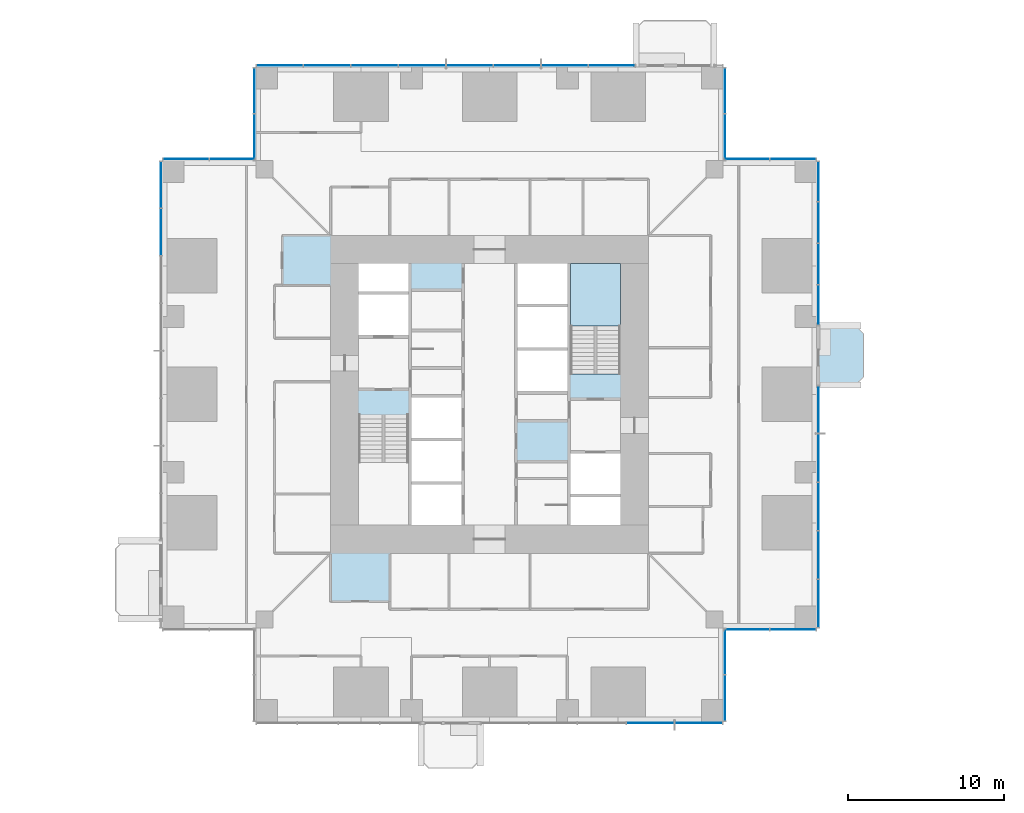
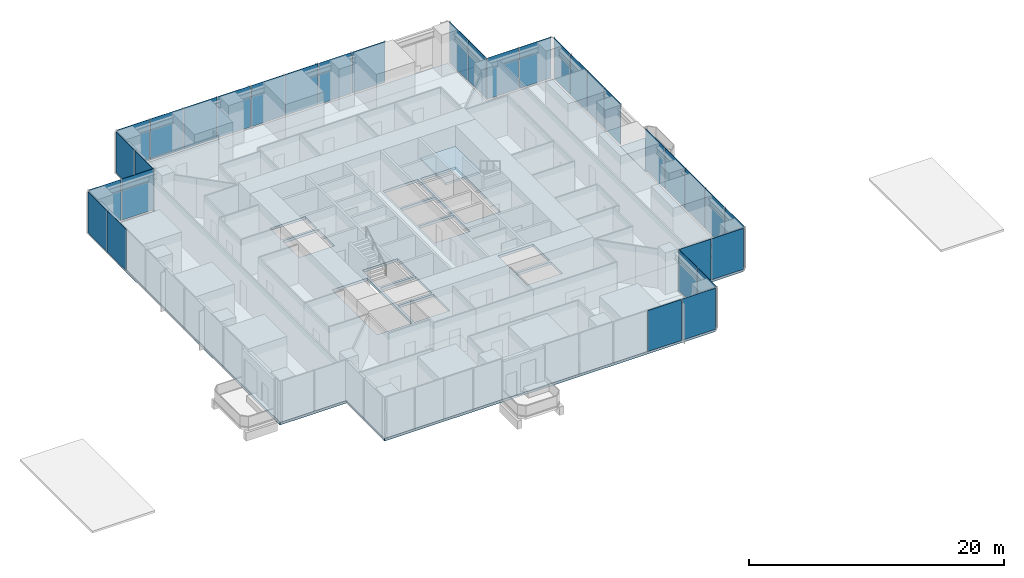
# One storey, part 8 of 16: 33 plates, 3 slabs, 12 elements without a shape of their own.
"""IFC4 building model written with IfcOpenShell, lengths in metres."""

from ifc_helpers import new_model, si_unit, direction, frame, origin, origin_2d, place, context, subcontext, project, spatial, polyline, rectangle, outline, extrude, material, layer, layer_set, type_object, element, aggregate, save


model = new_model("IFC4")

# Units and contexts
model_context = context("Model", 3, precision=1e-05, world=origin(), true_north=direction((0.0, 1.0)))
body_context = subcontext(model_context, "Body", "Model", "MODEL_VIEW")
ifc_project = project(units=[si_unit("LENGTHUNIT", "METRE"), si_unit("AREAUNIT", "SQUARE_METRE"), si_unit("VOLUMEUNIT", "CUBIC_METRE"), si_unit("PLANEANGLEUNIT", "RADIAN"), si_unit("MASSUNIT", "GRAM", prefix="KILO")], contexts=[model_context])

# Site, building, storey
site_placement = place(None, origin())
site = spatial("IfcSite", under=ifc_project, at=site_placement, CompositionType="ELEMENT")
building_placement = place(site_placement, origin())
building = spatial("IfcBuilding", under=site, at=building_placement, Name="Svetlomir Tower", CompositionType="ELEMENT")
storey_placement = place(building_placement, frame((0.0, 0.0, 22.5)))
storey = spatial("IfcBuildingStorey", under=building, at=storey_placement, Name="L04", CompositionType="ELEMENT", Elevation=22.5)

# Slab
ifc_material_1 = material(Name="Concrete C60/75", Category="concrete")
ifc_layer_1 = layer(ifc_material_1, 0.25)
ifc_layer_set_1 = layer_set([ifc_layer_1], Name="Concrete C60/75")
slab_type_1 = type_object("IfcSlabType", Name="BALCONY SLAB 250", PredefinedType="FLOOR", material=ifc_layer_set_1)
slab_1_placement = place(storey_placement, frame((0.0, 0.0, -0.25)))
element("IfcSlab", 1, at=slab_1_placement, inside=storey, type_object=slab_type_1, Name="L04 E planted balcony", PredefinedType="FLOOR", context=body_context, shape_type="SweptSolid", body=[
    extrude(outline(polyline([(42.0, 21.60009765625), (44.5, 21.60009765625), (45.0, 22.10009765625), (45.0, 24.89990234375), (44.5, 25.39990234375), (42.0, 25.39990234375), (42.0, 21.60009765625)])), origin(), (0.0, 0.0, 1.0), 0.25),
])

# Curtain wall, plates
ifc_material_2 = material(Name="Bronze anodised aluminium curtain wall", Category="aluminium")
curtain_wall_type = type_object("IfcCurtainWallType", Name="CURTAIN WALL CW1 TOWER OFFICE", PredefinedType="NOTDEFINED", material=ifc_material_2)
curtain_wall_1_placement = place(storey_placement, origin())
curtain_wall_1 = element("IfcCurtainWall", 2, at=curtain_wall_1_placement, inside=storey, type_object=curtain_wall_type, Name="Curtain wall CW1 L04", PredefinedType="NOTDEFINED")
ifc_material_3 = material(Name="Tinted double glazed unit", Category="glass")
ifc_layer_2 = layer(ifc_material_3, 0.031982421875)
ifc_layer_set_2 = layer_set([ifc_layer_2], Name="Tinted double glazed unit")
plate_type = type_object("IfcPlateType", Name="CW1 GLAZED PANEL 32", PredefinedType="CURTAIN_PANEL", material=ifc_layer_set_2)
plate_1_placement = place(storey_placement, frame((31.320068359375, -0.10009765625, 0.06494140625), z_axis=(0.0, 0.0, 1.0), x_axis=(1.0, 0.0, 0.0)))
plate_1 = element("IfcPlate", 3, at=plate_1_placement, type_object=plate_type, Name="CW1 panel 4.1", PredefinedType="CURTAIN_PANEL", context=body_context, shape_type="SweptSolid", body=[
    extrude(rectangle(XDim=3.054931640625, YDim=0.031982421875, at=origin_2d()), origin(), (0.0, 0.0, 1.0), 3.93505859375),
])
plate_2_placement = place(storey_placement, frame((34.423828125, -0.10009765625, 0.06494140625), z_axis=(0.0, 0.0, 1.0), x_axis=(1.0, 0.0, 0.0)))
plate_2 = element("IfcPlate", 4, at=plate_2_placement, type_object=plate_type, Name="CW1 panel 5.1", PredefinedType="CURTAIN_PANEL", context=body_context, shape_type="SweptSolid", body=[
    extrude(rectangle(XDim=3.0224609375, YDim=0.031982421875, at=origin_2d()), origin(), (0.0, 0.0, 1.0), 3.93505859375),
])
aggregate(curtain_wall_1, [plate_1, plate_2])

curtain_wall_2_placement = place(storey_placement, origin())
curtain_wall_2 = element("IfcCurtainWall", 5, at=curtain_wall_2_placement, inside=storey, type_object=curtain_wall_type, Name="Curtain wall CW1 L04", PredefinedType="NOTDEFINED")
plate_3_placement = place(storey_placement, frame((36.10009765625, 1.516357421875, 0.06494140625), z_axis=(0.0, 0.0, 1.0), x_axis=(0.0, 1.0, 0.0)))
plate_3 = element("IfcPlate", 6, at=plate_3_placement, type_object=plate_type, Name="CW1 panel 1.1", PredefinedType="CURTAIN_PANEL", context=body_context, shape_type="SweptSolid", body=[
    extrude(rectangle(XDim=2.902587890625, YDim=0.031982421875, at=origin_2d()), origin(), (0.0, 0.0, 1.0), 3.93505859375),
])
plate_4_placement = place(storey_placement, frame((36.10009765625, 4.483642578125, 0.06494140625), z_axis=(0.0, 0.0, 1.0), x_axis=(0.0, 1.0, 0.0)))
plate_4 = element("IfcPlate", 7, at=plate_4_placement, type_object=plate_type, Name="CW1 panel 2.1", PredefinedType="CURTAIN_PANEL", context=body_context, shape_type="SweptSolid", body=[
    extrude(rectangle(XDim=2.902587890625, YDim=0.031982421875, at=origin_2d()), origin(), (0.0, 0.0, 1.0), 3.93505859375),
])
aggregate(curtain_wall_2, [plate_3, plate_4])

curtain_wall_3_placement = place(storey_placement, origin())
curtain_wall_3 = element("IfcCurtainWall", 8, at=curtain_wall_3_placement, inside=storey, type_object=curtain_wall_type, Name="Curtain wall CW1 L04", PredefinedType="NOTDEFINED")
plate_5_placement = place(storey_placement, frame((37.516357421875, 5.89990234375, 0.06494140625), z_axis=(0.0, 0.0, 1.0), x_axis=(1.0, 0.0, 0.0)))
plate_5 = element("IfcPlate", 9, at=plate_5_placement, type_object=plate_type, Name="CW1 panel 1.1", PredefinedType="CURTAIN_PANEL", context=body_context, shape_type="SweptSolid", body=[
    extrude(rectangle(XDim=2.902587890625, YDim=0.031982421875, at=origin_2d()), origin(), (0.0, 0.0, 1.0), 3.93505859375),
])
plate_6_placement = place(storey_placement, frame((40.483642578125, 5.89990234375, 0.06494140625), z_axis=(0.0, 0.0, 1.0), x_axis=(1.0, 0.0, 0.0)))
plate_6 = element("IfcPlate", 10, at=plate_6_placement, type_object=plate_type, Name="CW1 panel 2.1", PredefinedType="CURTAIN_PANEL", context=body_context, shape_type="SweptSolid", body=[
    extrude(rectangle(XDim=2.902587890625, YDim=0.031982421875, at=origin_2d()), origin(), (0.0, 0.0, 1.0), 3.93505859375),
])
aggregate(curtain_wall_3, [plate_5, plate_6])

curtain_wall_4_placement = place(storey_placement, origin())
curtain_wall_4 = element("IfcCurtainWall", 11, at=curtain_wall_4_placement, inside=storey, type_object=curtain_wall_type, Name="Curtain wall CW1 L04", PredefinedType="NOTDEFINED")
plate_7_placement = place(storey_placement, frame((42.10009765625, 7.576171875, 0.06494140625), z_axis=(0.0, 0.0, 1.0), x_axis=(0.0, 1.0, 0.0)))
plate_7 = element("IfcPlate", 12, at=plate_7_placement, type_object=plate_type, Name="CW1 panel 1.1", PredefinedType="CURTAIN_PANEL", context=body_context, shape_type="SweptSolid", body=[
    extrude(rectangle(XDim=3.0224609375, YDim=0.031982421875, at=origin_2d()), origin(), (0.0, 0.0, 1.0), 3.93505859375),
])
plate_8_placement = place(storey_placement, frame((42.10009765625, 10.679931640625, 0.06494140625), z_axis=(0.0, 0.0, 1.0), x_axis=(0.0, 1.0, 0.0)))
plate_8 = element("IfcPlate", 13, at=plate_8_placement, type_object=plate_type, Name="CW1 panel 2.1", PredefinedType="CURTAIN_PANEL", context=body_context, shape_type="SweptSolid", body=[
    extrude(rectangle(XDim=3.054931640625, YDim=0.031982421875, at=origin_2d()), origin(), (0.0, 0.0, 1.0), 3.93505859375),
])
plate_9_placement = place(storey_placement, frame((42.10009765625, 13.800048828125, 0.06494140625), z_axis=(0.0, 0.0, 1.0), x_axis=(0.0, 1.0, 0.0)))
plate_9 = element("IfcPlate", 14, at=plate_9_placement, type_object=plate_type, Name="CW1 panel 3.1", PredefinedType="CURTAIN_PANEL", context=body_context, shape_type="SweptSolid", body=[
    extrude(rectangle(XDim=3.054931640625, YDim=0.031982421875, at=origin_2d()), origin(), (0.0, 0.0, 1.0), 3.93505859375),
])
plate_10_placement = place(storey_placement, frame((42.10009765625, 16.919921875, 0.06494140625), z_axis=(0.0, 0.0, 1.0), x_axis=(0.0, 1.0, 0.0)))
plate_10 = element("IfcPlate", 15, at=plate_10_placement, type_object=plate_type, Name="CW1 panel 4.1", PredefinedType="CURTAIN_PANEL", context=body_context, shape_type="SweptSolid", body=[
    extrude(rectangle(XDim=3.054931640625, YDim=0.031982421875, at=origin_2d()), origin(), (0.0, 0.0, 1.0), 3.93505859375),
])
plate_11_placement = place(storey_placement, frame((42.10009765625, 20.023681640625, 0.06494140625), z_axis=(0.0, 0.0, 1.0), x_axis=(0.0, 1.0, 0.0)))
plate_11 = element("IfcPlate", 16, at=plate_11_placement, type_object=plate_type, Name="CW1 panel 5.1", PredefinedType="CURTAIN_PANEL", context=body_context, shape_type="SweptSolid", body=[
    extrude(rectangle(XDim=3.0224609375, YDim=0.031982421875, at=origin_2d()), origin(), (0.0, 0.0, 1.0), 3.93505859375),
])
aggregate(curtain_wall_4, [plate_7, plate_8, plate_9, plate_10, plate_11])

curtain_wall_5_placement = place(storey_placement, origin())
curtain_wall_5 = element("IfcCurtainWall", 17, at=curtain_wall_5_placement, inside=storey, type_object=curtain_wall_type, Name="Curtain wall CW1 L04", PredefinedType="NOTDEFINED")
plate_12_placement = place(storey_placement, frame((42.10009765625, 26.7412109375, 0.06494140625), z_axis=(0.0, 0.0, 1.0), x_axis=(0.0, 1.0, 0.0)))
plate_12 = element("IfcPlate", 18, at=plate_12_placement, type_object=plate_type, Name="CW1 panel 1.1", PredefinedType="CURTAIN_PANEL", context=body_context, shape_type="SweptSolid", body=[
    extrude(rectangle(XDim=2.552490234375, YDim=0.031982421875, at=origin_2d()), origin(), (0.0, 0.0, 1.0), 3.93505859375),
])
plate_13_placement = place(storey_placement, frame((42.10009765625, 29.375, 0.06494140625), z_axis=(0.0, 0.0, 1.0), x_axis=(0.0, 1.0, 0.0)))
plate_13 = element("IfcPlate", 19, at=plate_13_placement, type_object=plate_type, Name="CW1 panel 2.1", PredefinedType="CURTAIN_PANEL", context=body_context, shape_type="SweptSolid", body=[
    extrude(rectangle(XDim=2.5849609375, YDim=0.031982421875, at=origin_2d()), origin(), (0.0, 0.0, 1.0), 3.93505859375),
])
plate_14_placement = place(storey_placement, frame((42.10009765625, 32.02490234375, 0.06494140625), z_axis=(0.0, 0.0, 1.0), x_axis=(0.0, 1.0, 0.0)))
plate_14 = element("IfcPlate", 20, at=plate_14_placement, type_object=plate_type, Name="CW1 panel 3.1", PredefinedType="CURTAIN_PANEL", context=body_context, shape_type="SweptSolid", body=[
    extrude(rectangle(XDim=2.5849609375, YDim=0.031982421875, at=origin_2d()), origin(), (0.0, 0.0, 1.0), 3.93505859375),
])
plate_15_placement = place(storey_placement, frame((42.10009765625, 34.65869140625, 0.06494140625), z_axis=(0.0, 0.0, 1.0), x_axis=(0.0, 1.0, 0.0)))
plate_15 = element("IfcPlate", 21, at=plate_15_placement, type_object=plate_type, Name="CW1 panel 4.1", PredefinedType="CURTAIN_PANEL", context=body_context, shape_type="SweptSolid", body=[
    extrude(rectangle(XDim=2.552490234375, YDim=0.031982421875, at=origin_2d()), origin(), (0.0, 0.0, 1.0), 3.93505859375),
])
aggregate(curtain_wall_5, [plate_12, plate_13, plate_14, plate_15])

curtain_wall_6_placement = place(storey_placement, origin())
curtain_wall_6 = element("IfcCurtainWall", 22, at=curtain_wall_6_placement, inside=storey, type_object=curtain_wall_type, Name="Curtain wall CW1 L04", PredefinedType="NOTDEFINED")
plate_16_placement = place(storey_placement, frame((40.483642578125, 36.10009765625, 0.06494140625), z_axis=(0.0, 0.0, 1.0), x_axis=(-1.0, 0.0, 0.0)))
plate_16 = element("IfcPlate", 23, at=plate_16_placement, type_object=plate_type, Name="CW1 panel 1.1", PredefinedType="CURTAIN_PANEL", context=body_context, shape_type="SweptSolid", body=[
    extrude(rectangle(XDim=2.902587890625, YDim=0.031982421875, at=origin_2d()), origin(), (0.0, 0.0, 1.0), 3.93505859375),
])
plate_17_placement = place(storey_placement, frame((37.516357421875, 36.10009765625, 0.06494140625), z_axis=(0.0, 0.0, 1.0), x_axis=(-1.0, 0.0, 0.0)))
plate_17 = element("IfcPlate", 24, at=plate_17_placement, type_object=plate_type, Name="CW1 panel 2.1", PredefinedType="CURTAIN_PANEL", context=body_context, shape_type="SweptSolid", body=[
    extrude(rectangle(XDim=2.902587890625, YDim=0.031982421875, at=origin_2d()), origin(), (0.0, 0.0, 1.0), 3.93505859375),
])
aggregate(curtain_wall_6, [plate_16, plate_17])

curtain_wall_7_placement = place(storey_placement, origin())
curtain_wall_7 = element("IfcCurtainWall", 25, at=curtain_wall_7_placement, inside=storey, type_object=curtain_wall_type, Name="Curtain wall CW1 L04", PredefinedType="NOTDEFINED")
plate_18_placement = place(storey_placement, frame((36.10009765625, 37.516357421875, 0.06494140625), z_axis=(0.0, 0.0, 1.0), x_axis=(0.0, 1.0, 0.0)))
plate_18 = element("IfcPlate", 26, at=plate_18_placement, type_object=plate_type, Name="CW1 panel 1.1", PredefinedType="CURTAIN_PANEL", context=body_context, shape_type="SweptSolid", body=[
    extrude(rectangle(XDim=2.902587890625, YDim=0.031982421875, at=origin_2d()), origin(), (0.0, 0.0, 1.0), 3.93505859375),
])
plate_19_placement = place(storey_placement, frame((36.10009765625, 40.483642578125, 0.06494140625), z_axis=(0.0, 0.0, 1.0), x_axis=(0.0, 1.0, 0.0)))
plate_19 = element("IfcPlate", 27, at=plate_19_placement, type_object=plate_type, Name="CW1 panel 2.1", PredefinedType="CURTAIN_PANEL", context=body_context, shape_type="SweptSolid", body=[
    extrude(rectangle(XDim=2.902587890625, YDim=0.031982421875, at=origin_2d()), origin(), (0.0, 0.0, 1.0), 3.93505859375),
])
aggregate(curtain_wall_7, [plate_18, plate_19])

curtain_wall_8_placement = place(storey_placement, origin())
curtain_wall_8 = element("IfcCurtainWall", 28, at=curtain_wall_8_placement, inside=storey, type_object=curtain_wall_type, Name="Curtain wall CW1 L04", PredefinedType="NOTDEFINED")
plate_20_placement = place(storey_placement, frame((28.858642578125, 42.10009765625, 0.06494140625), z_axis=(0.0, 0.0, 1.0), x_axis=(-1.0, 0.0, 0.0)))
plate_20 = element("IfcPlate", 29, at=plate_20_placement, type_object=plate_type, Name="CW1 panel 1.1", PredefinedType="CURTAIN_PANEL", context=body_context, shape_type="SweptSolid", body=[
    extrude(rectangle(XDim=2.952392578125, YDim=0.031982421875, at=origin_2d()), origin(), (0.0, 0.0, 1.0), 3.93505859375),
])
plate_21_placement = place(storey_placement, frame((25.824951171875, 42.10009765625, 0.06494140625), z_axis=(0.0, 0.0, 1.0), x_axis=(-1.0, 0.0, 0.0)))
plate_21 = element("IfcPlate", 30, at=plate_21_placement, type_object=plate_type, Name="CW1 panel 2.1", PredefinedType="CURTAIN_PANEL", context=body_context, shape_type="SweptSolid", body=[
    extrude(rectangle(XDim=2.985107421875, YDim=0.031982421875, at=origin_2d()), origin(), (0.0, 0.0, 1.0), 3.93505859375),
])
plate_22_placement = place(storey_placement, frame((22.77490234375, 42.10009765625, 0.06494140625), z_axis=(0.0, 0.0, 1.0), x_axis=(-1.0, 0.0, 0.0)))
plate_22 = element("IfcPlate", 31, at=plate_22_placement, type_object=plate_type, Name="CW1 panel 3.1", PredefinedType="CURTAIN_PANEL", context=body_context, shape_type="SweptSolid", body=[
    extrude(rectangle(XDim=2.985107421875, YDim=0.031982421875, at=origin_2d()), origin(), (0.0, 0.0, 1.0), 3.93505859375),
])
plate_23_placement = place(storey_placement, frame((19.72509765625, 42.10009765625, 0.06494140625), z_axis=(0.0, 0.0, 1.0), x_axis=(-1.0, 0.0, 0.0)))
plate_23 = element("IfcPlate", 32, at=plate_23_placement, type_object=plate_type, Name="CW1 panel 4.1", PredefinedType="CURTAIN_PANEL", context=body_context, shape_type="SweptSolid", body=[
    extrude(rectangle(XDim=2.985107421875, YDim=0.031982421875, at=origin_2d()), origin(), (0.0, 0.0, 1.0), 3.93505859375),
])
plate_24_placement = place(storey_placement, frame((16.675048828125, 42.10009765625, 0.06494140625), z_axis=(0.0, 0.0, 1.0), x_axis=(-1.0, 0.0, 0.0)))
plate_24 = element("IfcPlate", 33, at=plate_24_placement, type_object=plate_type, Name="CW1 panel 5.1", PredefinedType="CURTAIN_PANEL", context=body_context, shape_type="SweptSolid", body=[
    extrude(rectangle(XDim=2.985107421875, YDim=0.031982421875, at=origin_2d()), origin(), (0.0, 0.0, 1.0), 3.93505859375),
])
plate_25_placement = place(storey_placement, frame((13.625, 42.10009765625, 0.06494140625), z_axis=(0.0, 0.0, 1.0), x_axis=(-1.0, 0.0, 0.0)))
plate_25 = element("IfcPlate", 34, at=plate_25_placement, type_object=plate_type, Name="CW1 panel 6.1", PredefinedType="CURTAIN_PANEL", context=body_context, shape_type="SweptSolid", body=[
    extrude(rectangle(XDim=2.985107421875, YDim=0.031982421875, at=origin_2d()), origin(), (0.0, 0.0, 1.0), 3.93505859375),
])
plate_26_placement = place(storey_placement, frame((10.574951171875, 42.10009765625, 0.06494140625), z_axis=(0.0, 0.0, 1.0), x_axis=(-1.0, 0.0, 0.0)))
plate_26 = element("IfcPlate", 35, at=plate_26_placement, type_object=plate_type, Name="CW1 panel 7.1", PredefinedType="CURTAIN_PANEL", context=body_context, shape_type="SweptSolid", body=[
    extrude(rectangle(XDim=2.985107421875, YDim=0.031982421875, at=origin_2d()), origin(), (0.0, 0.0, 1.0), 3.93505859375),
])
plate_27_placement = place(storey_placement, frame((7.541259765625, 42.10009765625, 0.06494140625), z_axis=(0.0, 0.0, 1.0), x_axis=(-1.0, 0.0, 0.0)))
plate_27 = element("IfcPlate", 36, at=plate_27_placement, type_object=plate_type, Name="CW1 panel 8.1", PredefinedType="CURTAIN_PANEL", context=body_context, shape_type="SweptSolid", body=[
    extrude(rectangle(XDim=2.952392578125, YDim=0.031982421875, at=origin_2d()), origin(), (0.0, 0.0, 1.0), 3.93505859375),
])
aggregate(curtain_wall_8, [plate_20, plate_21, plate_22, plate_23, plate_24, plate_25, plate_26, plate_27])

curtain_wall_9_placement = place(storey_placement, origin())
curtain_wall_9 = element("IfcCurtainWall", 37, at=curtain_wall_9_placement, inside=storey, type_object=curtain_wall_type, Name="Curtain wall CW1 L04", PredefinedType="NOTDEFINED")
plate_28_placement = place(storey_placement, frame((5.89990234375, 40.483642578125, 0.06494140625), z_axis=(0.0, 0.0, 1.0), x_axis=(0.0, -1.0, 0.0)))
plate_28 = element("IfcPlate", 38, at=plate_28_placement, type_object=plate_type, Name="CW1 panel 1.1", PredefinedType="CURTAIN_PANEL", context=body_context, shape_type="SweptSolid", body=[
    extrude(rectangle(XDim=2.902587890625, YDim=0.031982421875, at=origin_2d()), origin(), (0.0, 0.0, 1.0), 3.93505859375),
])
plate_29_placement = place(storey_placement, frame((5.89990234375, 37.516357421875, 0.06494140625), z_axis=(0.0, 0.0, 1.0), x_axis=(0.0, -1.0, 0.0)))
plate_29 = element("IfcPlate", 39, at=plate_29_placement, type_object=plate_type, Name="CW1 panel 2.1", PredefinedType="CURTAIN_PANEL", context=body_context, shape_type="SweptSolid", body=[
    extrude(rectangle(XDim=2.902587890625, YDim=0.031982421875, at=origin_2d()), origin(), (0.0, 0.0, 1.0), 3.93505859375),
])
aggregate(curtain_wall_9, [plate_28, plate_29])

curtain_wall_10_placement = place(storey_placement, origin())
curtain_wall_10 = element("IfcCurtainWall", 40, at=curtain_wall_10_placement, inside=storey, type_object=curtain_wall_type, Name="Curtain wall CW1 L04", PredefinedType="NOTDEFINED")
plate_30_placement = place(storey_placement, frame((4.483642578125, 36.10009765625, 0.06494140625), z_axis=(0.0, 0.0, 1.0), x_axis=(-1.0, 0.0, 0.0)))
plate_30 = element("IfcPlate", 41, at=plate_30_placement, type_object=plate_type, Name="CW1 panel 1.1", PredefinedType="CURTAIN_PANEL", context=body_context, shape_type="SweptSolid", body=[
    extrude(rectangle(XDim=2.902587890625, YDim=0.031982421875, at=origin_2d()), origin(), (0.0, 0.0, 1.0), 3.93505859375),
])
plate_31_placement = place(storey_placement, frame((1.516357421875, 36.10009765625, 0.06494140625), z_axis=(0.0, 0.0, 1.0), x_axis=(-1.0, 0.0, 0.0)))
plate_31 = element("IfcPlate", 42, at=plate_31_placement, type_object=plate_type, Name="CW1 panel 2.1", PredefinedType="CURTAIN_PANEL", context=body_context, shape_type="SweptSolid", body=[
    extrude(rectangle(XDim=2.902587890625, YDim=0.031982421875, at=origin_2d()), origin(), (0.0, 0.0, 1.0), 3.93505859375),
])
aggregate(curtain_wall_10, [plate_30, plate_31])

curtain_wall_11_placement = place(storey_placement, origin())
curtain_wall_11 = element("IfcCurtainWall", 43, at=curtain_wall_11_placement, inside=storey, type_object=curtain_wall_type, Name="Curtain wall CW1 L04", PredefinedType="NOTDEFINED")
plate_32_placement = place(storey_placement, frame((-0.10009765625, 34.458740234375, 0.06494140625), z_axis=(0.0, 0.0, 1.0), x_axis=(0.0, -1.0, 0.0)))
plate_32 = element("IfcPlate", 44, at=plate_32_placement, type_object=plate_type, Name="CW1 panel 1.1", PredefinedType="CURTAIN_PANEL", context=body_context, shape_type="SweptSolid", body=[
    extrude(rectangle(XDim=2.952392578125, YDim=0.031982421875, at=origin_2d()), origin(), (0.0, 0.0, 1.0), 3.93505859375),
])
plate_33_placement = place(storey_placement, frame((-0.10009765625, 31.425048828125, 0.06494140625), z_axis=(0.0, 0.0, 1.0), x_axis=(0.0, -1.0, 0.0)))
plate_33 = element("IfcPlate", 45, at=plate_33_placement, type_object=plate_type, Name="CW1 panel 2.1", PredefinedType="CURTAIN_PANEL", context=body_context, shape_type="SweptSolid", body=[
    extrude(rectangle(XDim=2.985107421875, YDim=0.031982421875, at=origin_2d()), origin(), (0.0, 0.0, 1.0), 3.93505859375),
])
aggregate(curtain_wall_11, [plate_32, plate_33])

# Slab
ifc_material_4 = material(Name="Concrete C60/75", Category="concrete")
ifc_layer_3 = layer(ifc_material_4, 0.25)
ifc_layer_set_3 = layer_set([ifc_layer_3], Name="Concrete C60/75")
slab_type_2 = type_object("IfcSlabType", Name="FLOOR SLAB 250", PredefinedType="FLOOR", material=ifc_layer_set_3)
slab_2_placement = place(storey_placement, frame((0.0, 0.0, -0.25)))
element("IfcSlab", 46, at=slab_2_placement, inside=storey, type_object=slab_type_2, Name="L04 floor slab", PredefinedType="FLOOR", context=body_context, shape_type="SweptSolid", body=[
    extrude(outline(polyline([(6.0, 0.0), (36.0, 0.0), (36.0, 6.0), (42.0, 6.0), (42.0, 36.0), (36.0, 36.0), (36.0, 42.0), (6.0, 42.0), (6.0, 36.0), (0.0, 36.0), (0.0, 6.0), (6.0, 6.0), (6.0, 0.0)]), holes=[polyline([(12.60009765625, 24.800048828125), (15.800048828125, 24.800048828125), (15.800048828125, 27.39990234375), (12.60009765625, 27.39990234375), (12.60009765625, 24.800048828125)]), polyline([(26.199951171875, 14.60009765625), (29.39990234375, 14.60009765625), (29.39990234375, 17.199951171875), (26.199951171875, 17.199951171875), (26.199951171875, 14.60009765625)]), polyline([(16.0, 12.60009765625), (19.199951171875, 12.60009765625), (19.199951171875, 15.199951171875), (16.0, 15.199951171875), (16.0, 12.60009765625)]), polyline([(16.0, 15.39990234375), (19.199951171875, 15.39990234375), (19.199951171875, 18.0), (16.0, 18.0), (16.0, 15.39990234375)]), polyline([(16.0, 18.199951171875), (19.199951171875, 18.199951171875), (19.199951171875, 20.800048828125), (16.0, 20.800048828125), (16.0, 18.199951171875)]), polyline([(22.800048828125, 21.199951171875), (26.0, 21.199951171875), (26.0, 23.800048828125), (22.800048828125, 23.800048828125), (22.800048828125, 21.199951171875)]), polyline([(22.800048828125, 24.0), (26.0, 24.0), (26.0, 26.60009765625), (22.800048828125, 26.60009765625), (22.800048828125, 24.0)]), polyline([(22.800048828125, 26.800048828125), (26.0, 26.800048828125), (26.0, 29.39990234375), (22.800048828125, 29.39990234375), (22.800048828125, 26.800048828125)]), polyline([(12.60009765625, 27.60009765625), (15.800048828125, 27.60009765625), (15.800048828125, 29.39990234375), (12.60009765625, 29.39990234375), (12.60009765625, 27.60009765625)]), polyline([(26.199951171875, 12.60009765625), (29.39990234375, 12.60009765625), (29.39990234375, 14.39990234375), (26.199951171875, 14.39990234375), (26.199951171875, 12.60009765625)]), polyline([(12.60009765625, 12.60009765625), (15.800048828125, 12.60009765625), (15.800048828125, 19.679931640625), (12.60009765625, 19.679931640625), (12.60009765625, 12.60009765625)]), polyline([(26.199951171875, 22.320068359375), (29.39990234375, 22.320068359375), (29.39990234375, 29.39990234375), (26.199951171875, 29.39990234375), (26.199951171875, 22.320068359375)])]), origin(), (0.0, 0.0, 1.0), 0.25),
])

# Stair, slab
ifc_material_5 = material(Name="Concrete C60/75", Category="concrete")
stair_type = type_object("IfcStairType", Name="EXIT STAIR 3200 RISE 4000", PredefinedType="HALF_TURN_STAIR", material=ifc_material_5)
stair_placement = place(storey_placement, origin())
stair = element("IfcStair", 47, at=stair_placement, inside=storey, type_object=stair_type, Name="Stair S2 L04 to L05", PredefinedType="HALF_TURN_STAIR")
ifc_material_6 = material(Name="Concrete C60/75", Category="concrete")
ifc_layer_4 = layer(ifc_material_6, 0.199951171875)
ifc_layer_set_4 = layer_set([ifc_layer_4], Name="Concrete C60/75")
slab_type_3 = type_object("IfcSlabType", Name="STAIR LANDING 200", PredefinedType="LANDING", material=ifc_layer_set_4)
slab_3_placement = place(storey_placement, frame((0.0, 0.0, 1.800048828125)))
slab_3 = element("IfcSlab", 48, at=slab_3_placement, type_object=slab_type_3, Name="S2 landing 1", PredefinedType="LANDING", context=body_context, shape_type="SweptSolid", body=[
    extrude(outline(polyline([(26.199951171875, 25.3798828125), (29.39990234375, 25.3798828125), (29.39990234375, 29.39990234375), (26.199951171875, 29.39990234375), (26.199951171875, 25.3798828125)])), origin(), (0.0, 0.0, 1.0), 0.199951171875),
])
aggregate(stair, [slab_3])

save(model, "model.ifc")
